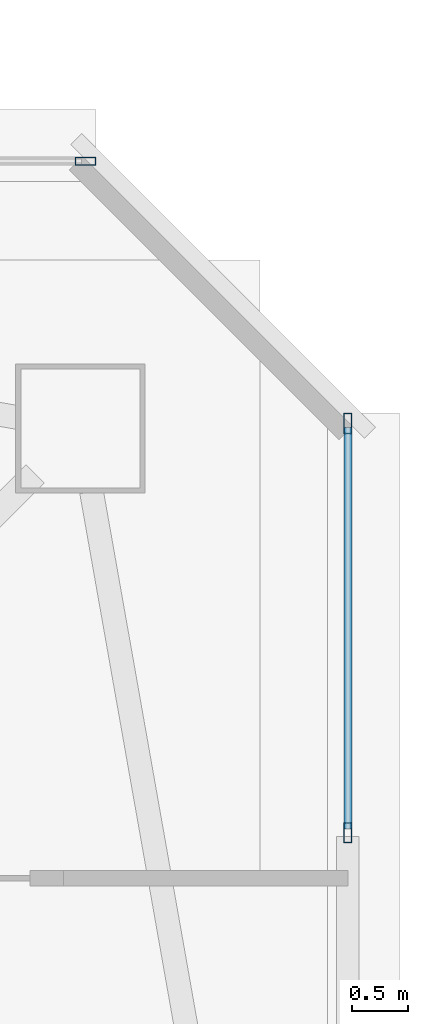
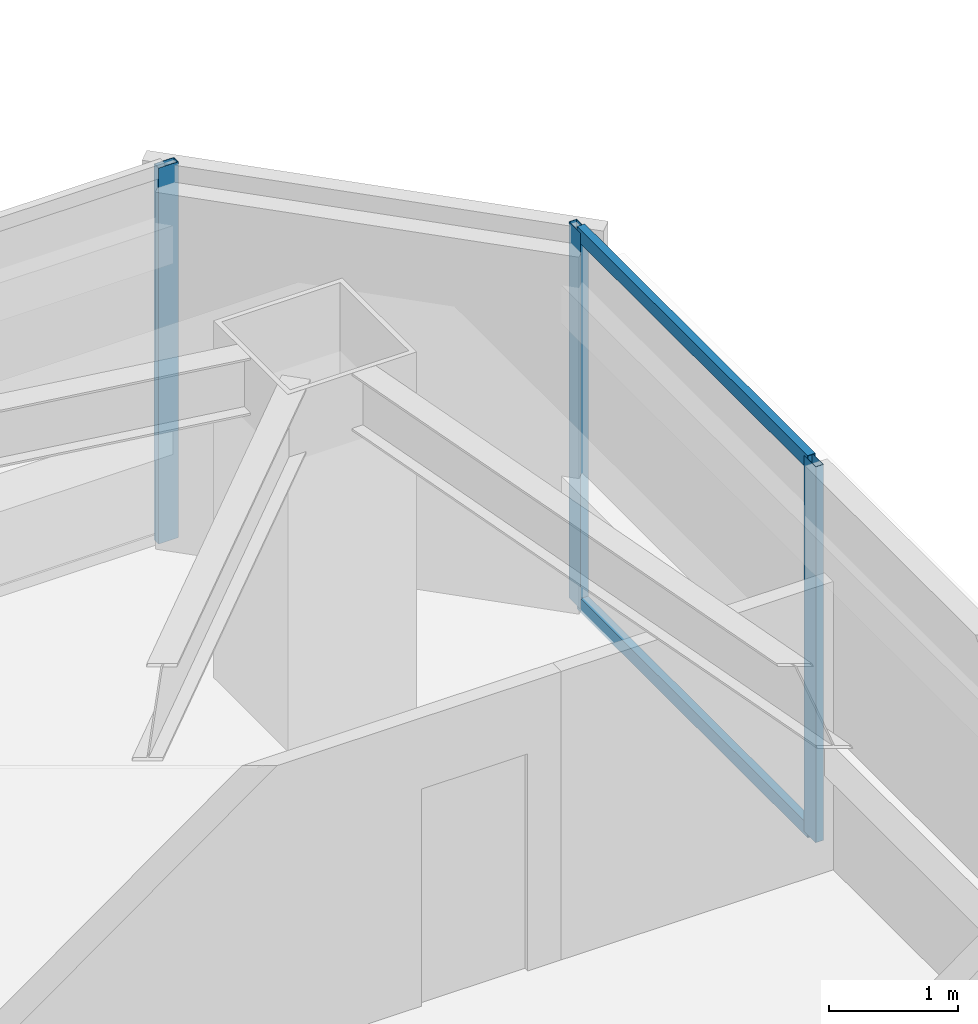
# One storey, part 15 of 41: 5 members, 2 elements without a shape of their own.
"""IFC4 building model written with IfcOpenShell, lengths in metres."""

from ifc_helpers import new_model, si_unit, direction, frame, origin, origin_2d, place, context, subcontext, project, spatial, hollow_rectangle, extrude, material, material_profile, profile_set, type_object, element, aggregate, save


model = new_model("IFC4")

# Units and contexts
model_context = context("Model", 3, precision=1e-05, world=origin(), true_north=direction((0.0, 1.0)))
body_context = subcontext(model_context, "Body", "Model", "MODEL_VIEW")
ifc_project = project(units=[si_unit("LENGTHUNIT", "METRE"), si_unit("AREAUNIT", "SQUARE_METRE"), si_unit("VOLUMEUNIT", "CUBIC_METRE"), si_unit("PLANEANGLEUNIT", "RADIAN"), si_unit("MASSUNIT", "GRAM", prefix="KILO")], contexts=[model_context])

# Site, building, storey
site_placement = place(None, origin())
site = spatial("IfcSite", under=ifc_project, at=site_placement, CompositionType="ELEMENT")
building_placement = place(site_placement, origin())
building = spatial("IfcBuilding", under=site, at=building_placement, Name="Tashvorn Skyway Center", CompositionType="ELEMENT")
storey_placement = place(building_placement, frame((0.0, 0.0, 171.199951171875)))
storey = spatial("IfcBuildingStorey", under=building, at=storey_placement, Name="L46", CompositionType="ELEMENT", Elevation=171.199951171875)

# Curtain wall, member
ifc_material = material(Name="Thermally broken bronze-anodized aluminium 6063-T6", Category="aluminium")
curtain_wall_type = type_object("IfcCurtainWallType", Name="CW-CW-Z4", PredefinedType="NOTDEFINED", material=ifc_material)
curtain_wall_1_placement = place(storey_placement, origin())
curtain_wall_1 = element("IfcCurtainWall", 1, at=curtain_wall_1_placement, inside=storey, type_object=curtain_wall_type, Name="Tower 1 L46 North Unitised Curtain Wall Glazing Group 3", PredefinedType="NOTDEFINED")
ifc_material_profile_1 = material_profile(ifc_material, hollow_rectangle(XDim=0.070068359375, YDim=0.179931640625, WallThickness=0.00390625, at=origin_2d()), Name="ALU-MULL-70x180")
ifc_profile_set_1 = profile_set([ifc_material_profile_1], Name="Thermally broken bronze-anodized aluminium 6063-T6")
member_type_1 = type_object("IfcMemberType", Name="CWM-CW-Z4", PredefinedType="MULLION", material=ifc_profile_set_1)
member_1_placement = place(storey_placement, frame((57.344970703125, 49.679931640625, 0.0), z_axis=(0.0, 0.0, 1.0), x_axis=(0.0, 1.0, 0.0)))
member_1 = element("IfcMember", 2, at=member_1_placement, type_object=member_type_1, Name="CW-Z4 mullion 2", PredefinedType="MULLION", context=body_context, shape_type="SweptSolid", body=[
    extrude(hollow_rectangle(XDim=0.070068359375, YDim=0.179931640625, WallThickness=0.00390625, at=origin_2d()), origin(), (0.0, 0.0, 1.0), 3.550048828125),
])
aggregate(curtain_wall_1, [member_1])

# Curtain wall, members
curtain_wall_2_placement = place(storey_placement, origin())
curtain_wall_2 = element("IfcCurtainWall", 3, at=curtain_wall_2_placement, inside=storey, type_object=curtain_wall_type, Name="Tower 1 L46 East Curtain Wall L Glazing Group 1", PredefinedType="NOTDEFINED")
member_2_placement = place(storey_placement, frame((59.679931640625, 47.344970703125, 0.0), z_axis=(0.0, 0.0, 1.0), x_axis=(1.0, 0.0, 0.0)))
member_2 = element("IfcMember", 4, at=member_2_placement, type_object=member_type_1, Name="CW-Z4 mullion 1", PredefinedType="MULLION", context=body_context, shape_type="SweptSolid", body=[
    extrude(hollow_rectangle(XDim=0.070068359375, YDim=0.179931640625, WallThickness=0.00390625, at=origin_2d()), origin(), (0.0, 0.0, 1.0), 3.550048828125),
])
member_3_placement = place(storey_placement, frame((59.679931640625, 43.705078125, 0.0), z_axis=(0.0, 0.0, 1.0), x_axis=(1.0, 0.0, 0.0)))
member_3 = element("IfcMember", 5, at=member_3_placement, type_object=member_type_1, Name="CW-Z4 mullion 2", PredefinedType="MULLION", context=body_context, shape_type="SweptSolid", body=[
    extrude(hollow_rectangle(XDim=0.070068359375, YDim=0.179931640625, WallThickness=0.00390625, at=origin_2d()), origin(), (0.0, 0.0, 1.0), 3.550048828125),
])
ifc_material_profile_2 = material_profile(ifc_material, hollow_rectangle(XDim=0.070068359375, YDim=0.1298828125, WallThickness=0.00390625, at=origin_2d()), Name="ALU-TRAN-70x130")
ifc_profile_set_2 = profile_set([ifc_material_profile_2], Name="Thermally broken bronze-anodized aluminium 6063-T6")
member_type_2 = type_object("IfcMemberType", Name="CWT-CW-Z4", PredefinedType="USERDEFINED", material=ifc_profile_set_2)
member_4_placement = place(storey_placement, frame((59.679931640625, 47.31005859375, 0.03515625), z_axis=(0.0, -1.0, 0.0), x_axis=(1.0, 0.0, 0.0)))
member_4 = element("IfcMember", 6, at=member_4_placement, type_object=member_type_2, Name="CW-Z4 transom 1.1", ObjectType="TRANSOM", PredefinedType="USERDEFINED", context=body_context, shape_type="SweptSolid", body=[
    extrude(hollow_rectangle(XDim=0.070068359375, YDim=0.1298828125, WallThickness=0.00390625, at=origin_2d()), origin(), (0.0, 0.0, 1.0), 3.570068359375),
])
member_5_placement = place(storey_placement, frame((59.679931640625, 47.31005859375, 3.51513671875), z_axis=(0.0, -1.0, 0.0), x_axis=(1.0, 0.0, 0.0)))
member_5 = element("IfcMember", 7, at=member_5_placement, type_object=member_type_2, Name="CW-Z4 transom 1.2", ObjectType="TRANSOM", PredefinedType="USERDEFINED", context=body_context, shape_type="SweptSolid", body=[
    extrude(hollow_rectangle(XDim=0.070068359375, YDim=0.1298828125, WallThickness=0.00390625, at=origin_2d()), origin(), (0.0, 0.0, 1.0), 3.570068359375),
])
aggregate(curtain_wall_2, [member_2, member_3, member_4, member_5])

save(model, "model.ifc")
